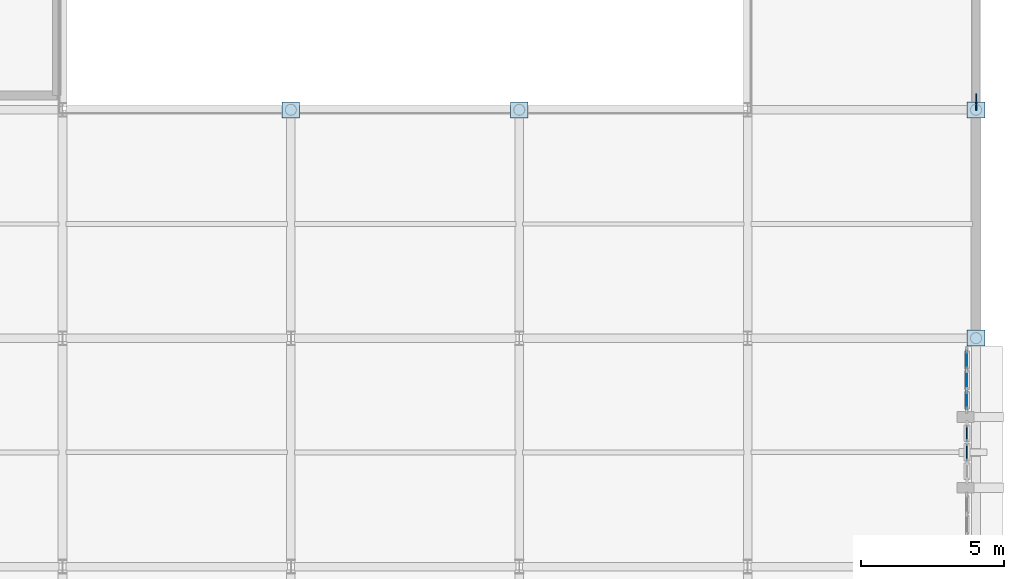
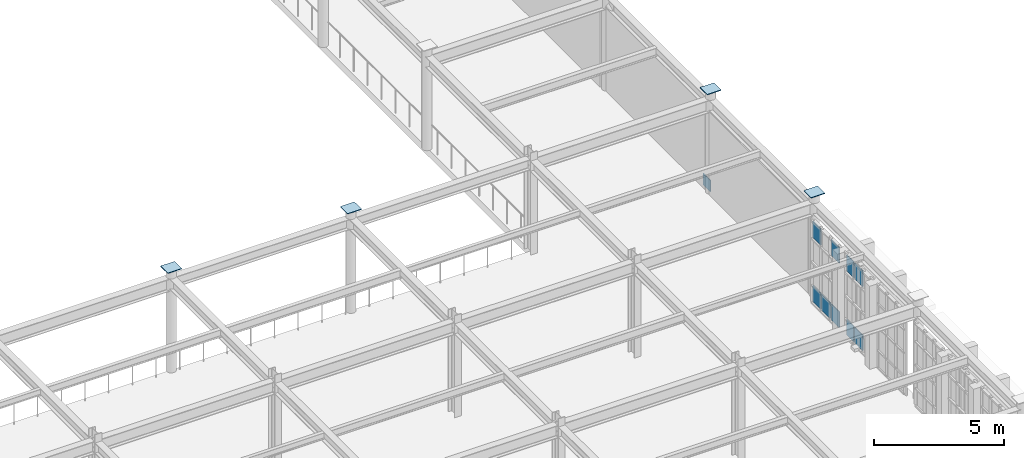
# One storey, part 129 of 155: 14 plates, 2 elements without a shape of their own.
"""IFC4 building model written with IfcOpenShell, lengths in metres."""

from ifc_helpers import new_model, si_unit, direction, frame, origin, origin_2d, place, context, subcontext, project, spatial, rectangle, extrude, material, layer, layer_set, type_object, element, aggregate, save


model = new_model("IFC4")

# Units and contexts
model_context = context("Model", 3, precision=1e-05, world=origin(), true_north=direction((0.0, 1.0)))
body_context = subcontext(model_context, "Body", "Model", "MODEL_VIEW")
ifc_project = project(units=[si_unit("LENGTHUNIT", "METRE"), si_unit("AREAUNIT", "SQUARE_METRE"), si_unit("VOLUMEUNIT", "CUBIC_METRE"), si_unit("PLANEANGLEUNIT", "RADIAN"), si_unit("MASSUNIT", "GRAM", prefix="KILO")], contexts=[model_context])

# Site, building, storey
site_placement = place(None, origin())
site = spatial("IfcSite", under=ifc_project, at=site_placement, CompositionType="ELEMENT")
building_placement = place(site_placement, origin())
building = spatial("IfcBuilding", under=site, at=building_placement, Name="Tazarka Park Arena", CompositionType="ELEMENT")
storey_placement = place(building_placement, frame((0.0, 0.0, 5.39990234375)))
storey = spatial("IfcBuildingStorey", under=building, at=storey_placement, Name="L01", CompositionType="ELEMENT", Elevation=5.39990234375)

# Curtain wall, plates
ifc_material_1 = material(Name="Aluminium and low-e glass", Category="aluminium")
ifc_layer_1 = layer(ifc_material_1, 0.179931640625, Name="Aluminium and low-e glass")
ifc_layer_set_1 = layer_set([ifc_layer_1], Name="Aluminium and low-e glass")
curtain_wall_type_1 = type_object("IfcCurtainWallType", Name="CW-07", PredefinedType="NOTDEFINED", material=ifc_layer_set_1)
curtain_wall_1_placement = place(storey_placement, origin())
curtain_wall_1 = element("IfcCurtainWall", 1, at=curtain_wall_1_placement, inside=storey, type_object=curtain_wall_type_1, Name="Curtain Wall CWA-L01-187", PredefinedType="NOTDEFINED")
ifc_material_2 = material(Name="Triple acoustic solar glazing", Category="glass")
ifc_layer_2 = layer(ifc_material_2, 0.031982421875, Name="Triple acoustic solar glazing")
ifc_layer_set_2 = layer_set([ifc_layer_2], Name="Triple acoustic solar glazing")
plate_type_1 = type_object("IfcPlateType", Name="CWP-02", PredefinedType="CURTAIN_PANEL", material=ifc_layer_set_2)
plate_1_placement = place(storey_placement, frame((183.679931640625, 55.2392578125, 0.065185546875), z_axis=(0.0, 0.0, 1.0), x_axis=(0.0, -1.0, 0.0)))
plate_1 = element("IfcPlate", 2, at=plate_1_placement, type_object=plate_type_1, Name="CW-07 panel 1.1", PredefinedType="CURTAIN_PANEL", context=body_context, shape_type="SweptSolid", body=[
    extrude(rectangle(XDim=0.625244140625, YDim=0.031982421875, at=origin_2d()), origin(), (0.0, 0.0, 1.0), 0.75244140625),
])
plate_2_placement = place(storey_placement, frame((183.679931640625, 55.2392578125, 3.08251953125), z_axis=(0.0, 0.0, 1.0), x_axis=(0.0, -1.0, 0.0)))
plate_2 = element("IfcPlate", 3, at=plate_2_placement, type_object=plate_type_1, Name="CW-07 panel 1.4", PredefinedType="CURTAIN_PANEL", context=body_context, shape_type="SweptSolid", body=[
    extrude(rectangle(XDim=0.625244140625, YDim=0.031982421875, at=origin_2d()), origin(), (0.0, 0.0, 1.0), 0.762451171875),
])
plate_3_placement = place(storey_placement, frame((183.679931640625, 54.532958984375, 0.065185546875), z_axis=(0.0, 0.0, 1.0), x_axis=(0.0, -1.0, 0.0)))
plate_3 = element("IfcPlate", 4, at=plate_3_placement, type_object=plate_type_1, Name="CW-07 panel 2.1", PredefinedType="CURTAIN_PANEL", context=body_context, shape_type="SweptSolid", body=[
    extrude(rectangle(XDim=0.65771484375, YDim=0.031982421875, at=origin_2d()), origin(), (0.0, 0.0, 1.0), 0.75244140625),
])
plate_4_placement = place(storey_placement, frame((183.679931640625, 53.826416015625, 0.065185546875), z_axis=(0.0, 0.0, 1.0), x_axis=(0.0, -1.0, 0.0)))
plate_4 = element("IfcPlate", 5, at=plate_4_placement, type_object=plate_type_1, Name="CW-07 panel 3.1", PredefinedType="CURTAIN_PANEL", context=body_context, shape_type="SweptSolid", body=[
    extrude(rectangle(XDim=0.625244140625, YDim=0.031982421875, at=origin_2d()), origin(), (0.0, 0.0, 1.0), 0.75244140625),
])
plate_5_placement = place(storey_placement, frame((183.679931640625, 53.826416015625, 3.08251953125), z_axis=(0.0, 0.0, 1.0), x_axis=(0.0, -1.0, 0.0)))
plate_5 = element("IfcPlate", 6, at=plate_5_placement, type_object=plate_type_1, Name="CW-07 panel 3.4", PredefinedType="CURTAIN_PANEL", context=body_context, shape_type="SweptSolid", body=[
    extrude(rectangle(XDim=0.625244140625, YDim=0.031982421875, at=origin_2d()), origin(), (0.0, 0.0, 1.0), 0.762451171875),
])
aggregate(curtain_wall_1, [plate_1, plate_2, plate_3, plate_4, plate_5])

ifc_material_3 = material(Name="Aluminium and low-e glass", Category="aluminium")
ifc_layer_3 = layer(ifc_material_3, 0.179931640625, Name="Aluminium and low-e glass")
ifc_layer_set_3 = layer_set([ifc_layer_3], Name="Aluminium and low-e glass")
curtain_wall_type_2 = type_object("IfcCurtainWallType", Name="CW-08", PredefinedType="NOTDEFINED", material=ifc_layer_set_3)
curtain_wall_2_placement = place(storey_placement, origin())
curtain_wall_2 = element("IfcCurtainWall", 7, at=curtain_wall_2_placement, inside=storey, type_object=curtain_wall_type_2, Name="Curtain Wall CWA-L01-188", PredefinedType="NOTDEFINED")
ifc_material_4 = material(Name="Insulated aluminium spandrel panel", Category="aluminium")
ifc_layer_4 = layer(ifc_material_4, 0.035888671875, Name="Insulated aluminium spandrel panel")
ifc_layer_set_4 = layer_set([ifc_layer_4], Name="Insulated aluminium spandrel panel")
plate_type_2 = type_object("IfcPlateType", Name="CWP-03", PredefinedType="CURTAIN_PANEL", material=ifc_layer_set_4)
plate_6_placement = place(storey_placement, frame((183.679931640625, 52.667236328125, 0.0751953125), z_axis=(0.0, 0.0, 1.0), x_axis=(0.0, -1.0, 0.0)))
plate_6 = element("IfcPlate", 8, at=plate_6_placement, type_object=plate_type_2, Name="CW-08 panel 1.1", PredefinedType="CURTAIN_PANEL", context=body_context, shape_type="SweptSolid", body=[
    extrude(rectangle(XDim=0.573486328125, YDim=0.035888671875, at=origin_2d()), origin(), (0.0, 0.0, 1.0), 0.737548828125),
])
plate_7_placement = place(storey_placement, frame((183.679931640625, 52.667236328125, 3.087646484375), z_axis=(0.0, 0.0, 1.0), x_axis=(0.0, -1.0, 0.0)))
plate_7 = element("IfcPlate", 9, at=plate_7_placement, type_object=plate_type_2, Name="CW-08 panel 1.4", PredefinedType="CURTAIN_PANEL", context=body_context, shape_type="SweptSolid", body=[
    extrude(rectangle(XDim=0.573486328125, YDim=0.035888671875, at=origin_2d()), origin(), (0.0, 0.0, 1.0), 0.74755859375),
])
plate_8_placement = place(storey_placement, frame((183.679931640625, 52.0, 0.0751953125), z_axis=(0.0, 0.0, 1.0), x_axis=(0.0, -1.0, 0.0)))
plate_8 = element("IfcPlate", 10, at=plate_8_placement, type_object=plate_type_2, Name="CW-08 panel 2.1", PredefinedType="CURTAIN_PANEL", context=body_context, shape_type="SweptSolid", body=[
    extrude(rectangle(XDim=0.61083984375, YDim=0.035888671875, at=origin_2d()), origin(), (0.0, 0.0, 1.0), 0.737548828125),
])
plate_9_placement = place(storey_placement, frame((183.679931640625, 52.0, 3.087646484375), z_axis=(0.0, 0.0, 1.0), x_axis=(0.0, -1.0, 0.0)))
plate_9 = element("IfcPlate", 11, at=plate_9_placement, type_object=plate_type_2, Name="CW-08 panel 2.4", PredefinedType="CURTAIN_PANEL", context=body_context, shape_type="SweptSolid", body=[
    extrude(rectangle(XDim=0.61083984375, YDim=0.035888671875, at=origin_2d()), origin(), (0.0, 0.0, 1.0), 0.74755859375),
])
aggregate(curtain_wall_2, [plate_6, plate_7, plate_8, plate_9])

# Plates
ifc_material_5 = material(Name="Steel S460", Category="steel")
ifc_layer_5 = layer(ifc_material_5, 0.030029296875, Name="Steel S460")
ifc_layer_set_5 = layer_set([ifc_layer_5], Name="Steel S460")
plate_type_3 = type_object("IfcPlateType", Name="PLT-PL-01", PredefinedType="SHEET", material=ifc_layer_set_5)
for number, where, z_axis, x_axis, name in (
    (12, (160.0, 64.0, 4.80029296875), (0.0, 0.0, 1.0), (1.0, 0.0, 0.0), "CPL-L01-20-08"),
    (13, (168.0, 64.0, 4.80029296875), (0.0, 0.0, 1.0), (1.0, 0.0, 0.0), "CPL-L01-21-08"),
    (14, (184.0, 56.0, 4.80029296875), (0.0, 0.0, 1.0), (1.0, 0.0, 0.0), "CPL-L01-23-07"),
    (15, (184.0, 64.0, 4.80029296875), (0.0, 0.0, 1.0), (1.0, 0.0, 0.0), "CPL-L01-23-08"),
):
    element("IfcPlate", number, at=place(storey_placement, frame(where, z_axis=z_axis, x_axis=x_axis)), inside=storey, type_object=plate_type_3, Name=name, PredefinedType="SHEET", context=body_context, shape_type="SweptSolid", body=[
        extrude(rectangle(XDim=0.6201171875, YDim=0.56005859375, at=origin_2d()), origin(), (0.0, 0.0, 1.0), 0.030029296875),
    ])
ifc_material_6 = material(Name="Steel S460", Category="steel")
ifc_layer_6 = layer(ifc_material_6, 0.035888671875, Name="Steel S460")
ifc_layer_set_6 = layer_set([ifc_layer_6], Name="Steel S460")
plate_type_4 = type_object("IfcPlateType", Name="PLT-PL-11", PredefinedType="USERDEFINED", material=ifc_layer_set_6)
plate_10_placement = place(storey_placement, frame((184.0, 64.280029296875, -0.010009765625), z_axis=(0.0, 0.0, 1.0), x_axis=(1.0, 0.0, 0.0)))
element("IfcPlate", 16, at=plate_10_placement, inside=storey, type_object=plate_type_4, Name="BRP-L01-02-1", ObjectType="STIFFENER", PredefinedType="USERDEFINED", context=body_context, shape_type="SweptSolid", body=[
    extrude(rectangle(XDim=0.035888671875, YDim=0.580078125, at=origin_2d()), origin(), (0.0, 0.0, 1.0), 0.52001953125),
])

save(model, "model.ifc")
